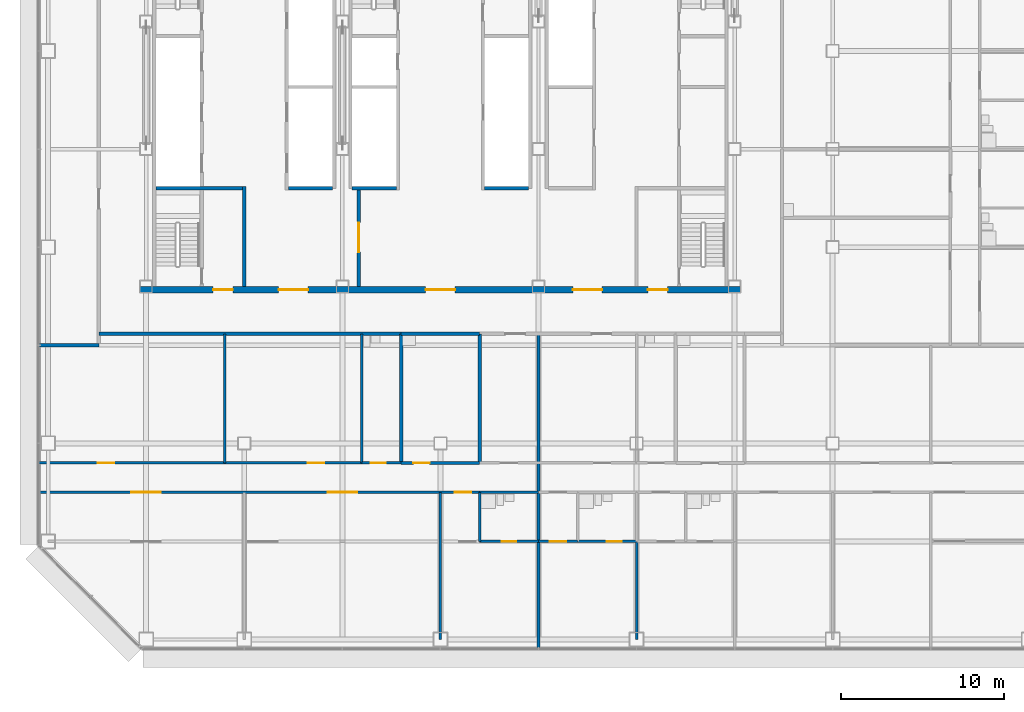
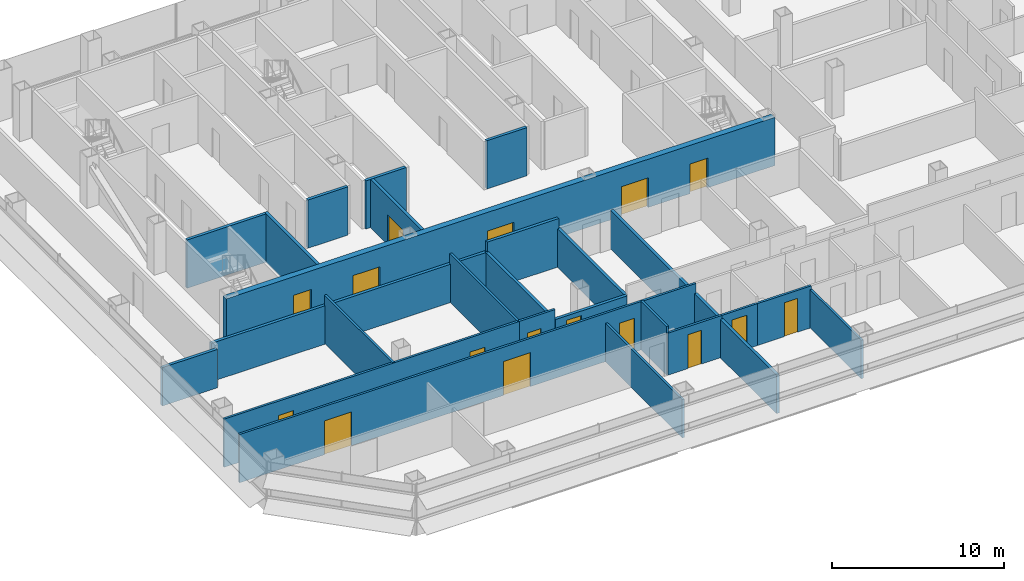
# One storey, part 20 of 26: 26 walls, 16 doors, 16 openings.
"""IFC4 building model written with IfcOpenShell, lengths in metres."""

from ifc_helpers import new_model, si_unit, direction, frame, frame_2d, origin, place, context, subcontext, project, spatial, rectangle, extrude, material, layer, layer_set, type_object, element, fill, save


model = new_model("IFC4")

# Units and contexts
model_context = context("Model", 3, precision=1e-05, world=origin(), true_north=direction((0.0, 1.0)))
body_context = subcontext(model_context, "Body", "Model", "MODEL_VIEW")
ifc_project = project(units=[si_unit("LENGTHUNIT", "METRE"), si_unit("AREAUNIT", "SQUARE_METRE"), si_unit("VOLUMEUNIT", "CUBIC_METRE"), si_unit("PLANEANGLEUNIT", "RADIAN"), si_unit("MASSUNIT", "GRAM", prefix="KILO")], contexts=[model_context])

# Site, building, storey
site_placement = place(None, origin())
site = spatial("IfcSite", under=ifc_project, at=site_placement, CompositionType="ELEMENT")
building_placement = place(site_placement, origin())
building = spatial("IfcBuilding", under=site, at=building_placement, Name="Sorahane Residences", CompositionType="ELEMENT")
storey_placement = place(building_placement, frame((0.0, 0.0, 71.39990234375)))
storey = spatial("IfcBuildingStorey", under=building, at=storey_placement, Name="L14", CompositionType="ELEMENT", Elevation=71.39990234375)

# Walls
ifc_material_1 = material(Name="Concrete blockwork C20 wall", Category="masonry")
ifc_layer_1 = layer(ifc_material_1, 0.199951171875)
ifc_layer_set_1 = layer_set([ifc_layer_1], Name="Corridor wall 200 EI 120")
wall_type_1 = type_object("IfcWallType", Name="Corridor wall 200 EI 120", PredefinedType="SOLIDWALL", material=ifc_layer_set_1)
wall_1_placement = place(storey_placement, frame((-0.60009765625, 18.0, 0.0), z_axis=(0.0, 0.0, 1.0), x_axis=(1.0, 0.0, 0.0)))
element("IfcWall", 1, at=wall_1_placement, inside=storey, type_object=wall_type_1, Name="L14 corridor wall", PredefinedType="SOLIDWALL", context=body_context, shape_type="SweptSolid", body=[
    extrude(rectangle(XDim=3.7001953125, YDim=0.199951171875, at=frame_2d((1.85009765625, 0.0))), origin(), (0.0, 0.0, 1.0), 2.72021484375),
])
wall_2_placement = place(storey_placement, frame((3.10009765625, 18.699951171875, 0.0), z_axis=(0.0, 0.0, 1.0), x_axis=(1.0, 0.0, 0.0)))
element("IfcWall", 2, at=wall_2_placement, inside=storey, type_object=wall_type_1, Name="L14 corridor wall", PredefinedType="SOLIDWALL", context=body_context, shape_type="SweptSolid", body=[
    extrude(rectangle(XDim=18.5, YDim=0.199951171875, at=frame_2d((9.25, 0.0))), origin(), (0.0, 0.0, 1.0), 2.72021484375),
])
ifc_material_2 = material(Name="Concrete C30", Category="concrete")
ifc_layer_2 = layer(ifc_material_2, 0.199951171875)
ifc_layer_set_2 = layer_set([ifc_layer_2], Name="Front room wall 200 EI 120")
wall_type_2 = type_object("IfcWallType", Name="Front room wall 200 EI 120", PredefinedType="PARTITIONING", material=ifc_layer_set_2)
wall_3_placement = place(storey_placement, frame((12.0, 21.60009765625, 0.0), z_axis=(0.0, 0.0, 1.0), x_axis=(0.0, 1.0, 0.0)))
element("IfcWall", 3, at=wall_3_placement, inside=storey, type_object=wall_type_2, Name="L14 front room wall", PredefinedType="PARTITIONING", context=body_context, shape_type="SweptSolid", body=[
    extrude(rectangle(XDim=6.099853515625, YDim=0.199951171875, at=frame_2d((3.0498046875, 0.0))), origin(), (0.0, 0.0, 1.0), 3.420166015625),
])
ifc_material_3 = material(Name="Concrete blockwork C20 wall", Category="masonry")
ifc_layer_3 = layer(ifc_material_3, 0.199951171875)
ifc_layer_set_3 = layer_set([ifc_layer_3], Name="Kitchen wall 200 EI 180")
wall_type_3 = type_object("IfcWallType", Name="Kitchen wall 200 EI 180", PredefinedType="SOLIDWALL", material=ifc_layer_set_3)
for number, where, z_axis, x_axis, name in (
    (4, (21.60009765625, 10.800048828125, 0.0), (0.0, 0.0, 1.0), (0.0, 1.0, 0.0), "L14 kitchen wall"),
    (5, (26.39990234375, 10.800048828125, 0.0), (0.0, 0.0, 1.0), (0.0, 1.0, 0.0), "L14 kitchen wall"),
):
    element("IfcWall", number, at=place(storey_placement, frame(where, z_axis=z_axis, x_axis=x_axis)), inside=storey, type_object=wall_type_3, Name=name, PredefinedType="SOLIDWALL", context=body_context, shape_type="SweptSolid", body=[
        extrude(rectangle(XDim=7.89990234375, YDim=0.199951171875, at=frame_2d((3.949951171875, 0.0))), origin(), (0.0, 0.0, 1.0), 2.72021484375),
    ])

# Wall, opening, door
wall_4_placement = place(storey_placement, frame((21.60009765625, 10.800048828125, 0.0), z_axis=(0.0, 0.0, 1.0), x_axis=(1.0, 0.0, 0.0)))
wall_4 = element("IfcWall", 6, at=wall_4_placement, inside=storey, type_object=wall_type_3, Name="L14 kitchen wall", PredefinedType="SOLIDWALL", context=body_context, shape_type="SweptSolid", body=[
    extrude(rectangle(XDim=4.7998046875, YDim=0.199951171875, at=frame_2d((2.39990234375, 0.0))), origin(), (0.0, 0.0, 1.0), 2.72021484375),
])
opening_1_placement = place(wall_4_placement, frame((0.739990234375, 0.0, 0.0)))
opening_1 = element("IfcOpeningElement", 7, at=opening_1_placement, cuts=wall_4, Name="Opening L14-05", PredefinedType="OPENING", context=body_context, shape_type="SweptSolid", body=[
    extrude(rectangle(XDim=1.0, YDim=2.39990234375, at=frame_2d((0.5, 1.199951171875))), frame((0.0, 0.10986328125, 0.0), z_axis=(0.0, -1.0, 0.0), x_axis=(1.0, 0.0, 0.0)), (0.0, 0.0, 1.0), 0.219970703125),
])
ifc_material_4 = material(Name="Steel", Category="steel")
door_type_1 = type_object("IfcDoorType", Name="Kitchen door 1000x2400 FD120", OperationType="NOTDEFINED", PredefinedType="DOOR", material=ifc_material_4)
door_1_placement = place(opening_1_placement, origin())
door_1 = element("IfcDoor", 8, at=door_1_placement, inside=storey, type_object=door_type_1, Name="Kitchen door L14-05", OperationType="SINGLE_SWING_LEFT", OverallHeight=2.39990234375, OverallWidth=1.0, PredefinedType="DOOR", context=body_context, shape_type="SweptSolid", body=[
    extrude(rectangle(XDim=1.0, YDim=2.39990234375, at=frame_2d((0.5, 1.199951171875))), frame((0.0, 0.02490234375, 0.0), z_axis=(0.0, -1.0, 0.0), x_axis=(1.0, 0.0, 0.0)), (0.0, 0.0, 1.0), 0.050048828125),
])
fill(opening_1, door_1)

# Walls
wall_5_placement = place(storey_placement, frame((21.60009765625, 18.699951171875, 0.0), z_axis=(0.0, 0.0, 1.0), x_axis=(1.0, 0.0, 0.0)))
element("IfcWall", 9, at=wall_5_placement, inside=storey, type_object=wall_type_3, Name="L14 kitchen wall", PredefinedType="SOLIDWALL", context=body_context, shape_type="SweptSolid", body=[
    extrude(rectangle(XDim=4.7998046875, YDim=0.199951171875, at=frame_2d((2.39990234375, 0.0))), origin(), (0.0, 0.0, 1.0), 3.420166015625),
])
ifc_material_5 = material(Name="Concrete C30", Category="concrete")
ifc_layer_4 = layer(ifc_material_5, 0.199951171875)
ifc_layer_set_4 = layer_set([ifc_layer_4], Name="Lift shaft wall 200 EI 120")
wall_type_4 = type_object("IfcWallType", Name="Lift shaft wall 200 EI 120", PredefinedType="SOLIDWALL", material=ifc_layer_set_4)
for number, where, z_axis, x_axis, name in (
    (10, (14.699951171875, 27.60009765625, 0.0), (0.0, 0.0, 1.0), (1.0, 0.0, 0.0), "L14 lift shaft wall"),
    (11, (18.60009765625, 27.60009765625, 0.0), (0.0, 0.0, 1.0), (1.0, 0.0, 0.0), "L14 lift shaft wall"),
):
    element("IfcWall", number, at=place(storey_placement, frame(where, z_axis=z_axis, x_axis=x_axis)), inside=storey, type_object=wall_type_4, Name=name, PredefinedType="SOLIDWALL", context=body_context, shape_type="SweptSolid", body=[
        extrude(rectangle(XDim=2.699951171875, YDim=0.199951171875, at=frame_2d((1.35009765625, 0.0))), origin(), (0.0, 0.0, 1.0), 3.420166015625),
    ])
ifc_material_6 = material(Name="Gypsum board partition on steel studs", Category="steel")
ifc_layer_5 = layer(ifc_material_6, 0.14990234375)
ifc_layer_set_5 = layer_set([ifc_layer_5], Name="Partition 150 EI 90")
wall_type_5 = type_object("IfcWallType", Name="Partition 150 EI 90", PredefinedType="PARTITIONING", material=ifc_layer_set_5)
wall_6_placement = place(storey_placement, frame((10.800048828125, 10.800048828125, 0.0), z_axis=(0.0, 0.0, 1.0), x_axis=(0.0, 1.0, 0.0)))
element("IfcWall", 12, at=wall_6_placement, inside=storey, type_object=wall_type_5, Name="L14 partition", PredefinedType="PARTITIONING", context=body_context, shape_type="SweptSolid", body=[
    extrude(rectangle(XDim=7.89990234375, YDim=0.14990234375, at=frame_2d((3.949951171875, 0.0))), origin(), (0.0, 0.0, 1.0), 3.420166015625),
])
wall_7_placement = place(storey_placement, frame((24.0, 0.0, 0.0), z_axis=(0.0, 0.0, 1.0), x_axis=(0.0, 1.0, 0.0)))
element("IfcWall", 13, at=wall_7_placement, inside=storey, type_object=wall_type_5, Name="L14 partition", PredefinedType="PARTITIONING", context=body_context, shape_type="SweptSolid", body=[
    extrude(rectangle(XDim=9.0, YDim=0.14990234375, at=frame_2d((4.5, 0.0))), origin(), (0.0, 0.0, 1.0), 2.72021484375),
])
wall_8_placement = place(storey_placement, frame((36.0, 0.0, 0.0), z_axis=(0.0, 0.0, 1.0), x_axis=(0.0, 1.0, 0.0)))
element("IfcWall", 14, at=wall_8_placement, inside=storey, type_object=wall_type_5, Name="L14 partition", PredefinedType="PARTITIONING", context=body_context, shape_type="SweptSolid", body=[
    extrude(rectangle(XDim=6.0, YDim=0.14990234375, at=frame_2d((3.0, 0.0))), origin(), (0.0, 0.0, 1.0), 2.72021484375),
])

# Wall, openings, doors
wall_9_placement = place(storey_placement, frame((-0.60009765625, 10.800048828125, 0.0), z_axis=(0.0, 0.0, 1.0), x_axis=(1.0, 0.0, 0.0)))
wall_9 = element("IfcWall", 15, at=wall_9_placement, inside=storey, type_object=wall_type_5, Name="L14 partition", PredefinedType="PARTITIONING", context=body_context, shape_type="SweptSolid", body=[
    extrude(rectangle(XDim=19.800048828125, YDim=0.14990234375, at=frame_2d((9.89990234375, 0.0))), origin(), (0.0, 0.0, 1.0), 3.420166015625),
])
opening_2_placement = place(wall_9_placement, frame((3.639892578125, 0.0, 0.0)))
opening_2 = element("IfcOpeningElement", 16, at=opening_2_placement, cuts=wall_9, Name="Opening L14-02", PredefinedType="OPENING", context=body_context, shape_type="SweptSolid", body=[
    extrude(rectangle(XDim=1.0, YDim=2.39990234375, at=frame_2d((0.5, 1.199951171875))), frame((0.0, 0.0849609375, 0.0), z_axis=(0.0, -1.0, 0.0), x_axis=(1.0, 0.0, 0.0)), (0.0, 0.0, 1.0), 0.169921875),
])
opening_3_placement = place(wall_9_placement, frame((16.47998046875, 0.0, 0.0)))
opening_3 = element("IfcOpeningElement", 17, at=opening_3_placement, cuts=wall_9, Name="Opening L14-03", PredefinedType="OPENING", context=body_context, shape_type="SweptSolid", body=[
    extrude(rectangle(XDim=1.0, YDim=2.39990234375, at=frame_2d((0.5, 1.199951171875))), frame((0.0, 0.0849609375, 0.0), z_axis=(0.0, -1.0, 0.0), x_axis=(1.0, 0.0, 0.0)), (0.0, 0.0, 1.0), 0.169921875),
])
ifc_material_7 = material(Name="Timber veneered fire door", Category="wood")
door_type_2 = type_object("IfcDoorType", Name="Room door 1000x2400 FD30", OperationType="NOTDEFINED", PredefinedType="DOOR", material=ifc_material_7)
door_2_placement = place(opening_2_placement, origin())
door_2 = element("IfcDoor", 18, at=door_2_placement, inside=storey, type_object=door_type_2, Name="Room door L14-02", OperationType="SINGLE_SWING_LEFT", OverallHeight=2.39990234375, OverallWidth=1.0, PredefinedType="DOOR", context=body_context, shape_type="SweptSolid", body=[
    extrude(rectangle(XDim=1.0, YDim=2.39990234375, at=frame_2d((0.5, 1.199951171875))), frame((0.0, 0.02490234375, 0.0), z_axis=(0.0, -1.0, 0.0), x_axis=(1.0, 0.0, 0.0)), (0.0, 0.0, 1.0), 0.050048828125),
])
fill(opening_2, door_2)
door_3_placement = place(opening_3_placement, origin())
door_3 = element("IfcDoor", 19, at=door_3_placement, inside=storey, type_object=door_type_2, Name="Room door L14-03", OperationType="SINGLE_SWING_RIGHT", OverallHeight=2.39990234375, OverallWidth=1.0, PredefinedType="DOOR", context=body_context, shape_type="SweptSolid", body=[
    extrude(rectangle(XDim=1.0, YDim=2.39990234375, at=frame_2d((0.5, 1.199951171875))), frame((0.0, 0.02490234375, 0.0), z_axis=(0.0, -1.0, 0.0), x_axis=(1.0, 0.0, 0.0)), (0.0, 0.0, 1.0), 0.050048828125),
])
fill(opening_3, door_3)

# Wall, opening, door
wall_10_placement = place(storey_placement, frame((30.0, 6.0, 0.0), z_axis=(0.0, 0.0, 1.0), x_axis=(1.0, 0.0, 0.0)))
wall_10 = element("IfcWall", 20, at=wall_10_placement, inside=storey, type_object=wall_type_5, Name="L14 partition", PredefinedType="PARTITIONING", context=body_context, shape_type="SweptSolid", body=[
    extrude(rectangle(XDim=2.39990234375, YDim=0.14990234375, at=frame_2d((1.199951171875, 0.0))), origin(), (0.0, 0.0, 1.0), 2.97021484375),
])
opening_4_placement = place(wall_10_placement, frame((0.699951171875, 0.0, 0.0)))
opening_4 = element("IfcOpeningElement", 21, at=opening_4_placement, cuts=wall_10, Name="Opening L14-23", PredefinedType="OPENING", context=body_context, shape_type="SweptSolid", body=[
    extrude(rectangle(XDim=1.0, YDim=2.39990234375, at=frame_2d((0.5, 1.199951171875))), frame((0.0, 0.0849609375, 0.0), z_axis=(0.0, -1.0, 0.0), x_axis=(1.0, 0.0, 0.0)), (0.0, 0.0, 1.0), 0.169921875),
])
door_4_placement = place(opening_4_placement, frame((1.0, 0.0, 0.0), z_axis=(0.0, 0.0, 1.0), x_axis=(-1.0, 0.0, 0.0)))
door_4 = element("IfcDoor", 22, at=door_4_placement, inside=storey, type_object=door_type_2, Name="Room door L14-23", OperationType="SINGLE_SWING_RIGHT", OverallHeight=2.39990234375, OverallWidth=1.0, PredefinedType="DOOR", context=body_context, shape_type="SweptSolid", body=[
    extrude(rectangle(XDim=1.0, YDim=2.39990234375, at=frame_2d((0.5, 1.199951171875))), frame((0.0, 0.02490234375, 0.0), z_axis=(0.0, -1.0, 0.0), x_axis=(1.0, 0.0, 0.0)), (0.0, 0.0, 1.0), 0.050048828125),
])
fill(opening_4, door_4)

# Wall, openings, doors
wall_11_placement = place(storey_placement, frame((-0.60009765625, 9.0, 0.0), z_axis=(0.0, 0.0, 1.0), x_axis=(1.0, 0.0, 0.0)))
wall_11 = element("IfcWall", 23, at=wall_11_placement, inside=storey, type_object=wall_type_5, Name="L14 partition", PredefinedType="PARTITIONING", context=body_context, shape_type="SweptSolid", body=[
    extrude(rectangle(XDim=27.0, YDim=0.14990234375, at=frame_2d((13.5, 0.0))), origin(), (0.0, 0.0, 1.0), 3.420166015625),
])
opening_5_placement = place(wall_11_placement, frame((5.699951171875, 0.0, 0.0)))
opening_5 = element("IfcOpeningElement", 24, at=opening_5_placement, cuts=wall_11, Name="Opening L14-06", PredefinedType="OPENING", context=body_context, shape_type="SweptSolid", body=[
    extrude(rectangle(XDim=1.800048828125, YDim=2.39990234375, at=frame_2d((0.89990234375, 1.199951171875))), frame((0.0, 0.0849609375, 0.0), z_axis=(0.0, -1.0, 0.0), x_axis=(1.0, 0.0, 0.0)), (0.0, 0.0, 1.0), 0.169921875),
])
opening_6_placement = place(wall_11_placement, frame((17.699951171875, 0.0, 0.0)))
opening_6 = element("IfcOpeningElement", 25, at=opening_6_placement, cuts=wall_11, Name="Opening L14-07", PredefinedType="OPENING", context=body_context, shape_type="SweptSolid", body=[
    extrude(rectangle(XDim=1.800048828125, YDim=2.39990234375, at=frame_2d((0.89990234375, 1.199951171875))), frame((0.0, 0.0849609375, 0.0), z_axis=(0.0, -1.0, 0.0), x_axis=(1.0, 0.0, 0.0)), (0.0, 0.0, 1.0), 0.169921875),
])
opening_7_placement = place(wall_11_placement, frame((25.47998046875, 0.0, 0.0)))
opening_7 = element("IfcOpeningElement", 26, at=opening_7_placement, cuts=wall_11, Name="Opening L14-08", PredefinedType="OPENING", context=body_context, shape_type="SweptSolid", body=[
    extrude(rectangle(XDim=1.0, YDim=2.39990234375, at=frame_2d((0.5, 1.199951171875))), frame((0.0, 0.0849609375, 0.0), z_axis=(0.0, -1.0, 0.0), x_axis=(1.0, 0.0, 0.0)), (0.0, 0.0, 1.0), 0.169921875),
])
ifc_material_8 = material(Name="Timber veneered fire door", Category="wood")
door_type_3 = type_object("IfcDoorType", Name="Double door 1800x2400 FD30", OperationType="NOTDEFINED", PredefinedType="DOOR", material=ifc_material_8)
door_5_placement = place(opening_5_placement, frame((1.800048828125, 0.0, 0.0), z_axis=(0.0, 0.0, 1.0), x_axis=(-1.0, 0.0, 0.0)))
door_5 = element("IfcDoor", 27, at=door_5_placement, inside=storey, type_object=door_type_3, Name="Double door L14-06", OperationType="SINGLE_SWING_LEFT", OverallHeight=2.39990234375, OverallWidth=1.800048828125, PredefinedType="DOOR", context=body_context, shape_type="SweptSolid", body=[
    extrude(rectangle(XDim=1.800048828125, YDim=2.39990234375, at=frame_2d((0.89990234375, 1.199951171875))), frame((0.0, 0.02490234375, 0.0), z_axis=(0.0, -1.0, 0.0), x_axis=(1.0, 0.0, 0.0)), (0.0, 0.0, 1.0), 0.050048828125),
])
fill(opening_5, door_5)
door_6_placement = place(opening_6_placement, frame((1.800048828125, 0.0, 0.0), z_axis=(0.0, 0.0, 1.0), x_axis=(-1.0, 0.0, 0.0)))
door_6 = element("IfcDoor", 28, at=door_6_placement, inside=storey, type_object=door_type_3, Name="Double door L14-07", OperationType="SINGLE_SWING_LEFT", OverallHeight=2.39990234375, OverallWidth=1.800048828125, PredefinedType="DOOR", context=body_context, shape_type="SweptSolid", body=[
    extrude(rectangle(XDim=1.800048828125, YDim=2.39990234375, at=frame_2d((0.89990234375, 1.199951171875))), frame((0.0, 0.02490234375, 0.0), z_axis=(0.0, -1.0, 0.0), x_axis=(1.0, 0.0, 0.0)), (0.0, 0.0, 1.0), 0.050048828125),
])
fill(opening_6, door_6)
door_7_placement = place(opening_7_placement, frame((1.0, 0.0, 0.0), z_axis=(0.0, 0.0, 1.0), x_axis=(-1.0, 0.0, 0.0)))
door_7 = element("IfcDoor", 29, at=door_7_placement, inside=storey, type_object=door_type_2, Name="Room door L14-08", OperationType="SINGLE_SWING_LEFT", OverallHeight=2.39990234375, OverallWidth=1.0, PredefinedType="DOOR", context=body_context, shape_type="SweptSolid", body=[
    extrude(rectangle(XDim=1.0, YDim=2.39990234375, at=frame_2d((0.5, 1.199951171875))), frame((0.0, 0.02490234375, 0.0), z_axis=(0.0, -1.0, 0.0), x_axis=(1.0, 0.0, 0.0)), (0.0, 0.0, 1.0), 0.050048828125),
])
fill(opening_7, door_7)

# Walls
ifc_material_9 = material(Name="Concrete blockwork C20 wall", Category="masonry")
ifc_layer_6 = layer(ifc_material_9, 0.199951171875)
ifc_layer_set_6 = layer_set([ifc_layer_6], Name="Party wall 200 EI 120")
wall_type_6 = type_object("IfcWallType", Name="Party wall 200 EI 120", PredefinedType="SOLIDWALL", material=ifc_layer_set_6)
wall_12_placement = place(storey_placement, frame((30.0, -0.60009765625, 0.0), z_axis=(0.0, 0.0, 1.0), x_axis=(0.0, 1.0, 0.0)))
element("IfcWall", 30, at=wall_12_placement, inside=storey, type_object=wall_type_6, Name="L14 party wall", PredefinedType="SOLIDWALL", context=body_context, shape_type="SweptSolid", body=[
    extrude(rectangle(XDim=19.300048828125, YDim=0.199951171875, at=frame_2d((9.64990234375, 0.0))), origin(), (0.0, 0.0, 1.0), 2.72021484375),
])
ifc_material_10 = material(Name="Concrete C30", Category="concrete")
ifc_layer_7 = layer(ifc_material_10, 0.199951171875)
ifc_layer_set_7 = layer_set([ifc_layer_7], Name="Riser shaft wall 200 EI 120")
wall_type_7 = type_object("IfcWallType", Name="Riser shaft wall 200 EI 120", PredefinedType="SOLIDWALL", material=ifc_layer_set_7)
wall_13_placement = place(storey_placement, frame((26.699951171875, 27.60009765625, 0.0), z_axis=(0.0, 0.0, 1.0), x_axis=(1.0, 0.0, 0.0)))
element("IfcWall", 31, at=wall_13_placement, inside=storey, type_object=wall_type_7, Name="L14 riser wall", PredefinedType="SOLIDWALL", context=body_context, shape_type="SweptSolid", body=[
    extrude(rectangle(XDim=2.699951171875, YDim=0.199951171875, at=frame_2d((1.35009765625, 0.0))), origin(), (0.0, 0.0, 1.0), 3.420166015625),
])

# Wall, opening, door
ifc_material_11 = material(Name="Concrete C30", Category="concrete")
ifc_layer_8 = layer(ifc_material_11, 0.199951171875)
ifc_layer_set_8 = layer_set([ifc_layer_8], Name="Service room partition 200 EI 60")
wall_type_8 = type_object("IfcWallType", Name="Service room partition 200 EI 60", PredefinedType="PARTITIONING", material=ifc_layer_set_8)
wall_14_placement = place(storey_placement, frame((19.0, 21.60009765625, 0.0), z_axis=(0.0, 0.0, 1.0), x_axis=(0.0, 1.0, 0.0)))
wall_14 = element("IfcWall", 32, at=wall_14_placement, inside=storey, type_object=wall_type_8, Name="L14 service room wall", PredefinedType="PARTITIONING", context=body_context, shape_type="SweptSolid", body=[
    extrude(rectangle(XDim=6.0, YDim=0.199951171875, at=frame_2d((3.0, 0.0))), origin(), (0.0, 0.0, 1.0), 3.420166015625),
])
opening_8_placement = place(wall_14_placement, frame((2.10009765625, 0.0, 0.0)))
opening_8 = element("IfcOpeningElement", 33, at=opening_8_placement, cuts=wall_14, Name="Opening L14-C02", PredefinedType="OPENING", context=body_context, shape_type="SweptSolid", body=[
    extrude(rectangle(XDim=1.800048828125, YDim=2.10009765625, at=frame_2d((0.89990234375, 1.050048828125))), frame((0.0, 0.10986328125, 0.0), z_axis=(0.0, -1.0, 0.0), x_axis=(1.0, 0.0, 0.0)), (0.0, 0.0, 1.0), 0.219970703125),
])
ifc_material_12 = material(Name="Steel", Category="steel")
door_type_4 = type_object("IfcDoorType", Name="Waiting hall door 1800x2100 FD60", OperationType="NOTDEFINED", PredefinedType="DOOR", material=ifc_material_12)
door_8_placement = place(opening_8_placement, origin())
door_8 = element("IfcDoor", 34, at=door_8_placement, inside=storey, type_object=door_type_4, Name="Waiting hall door Residents' waiting hall west L14", OperationType="SINGLE_SWING_LEFT", OverallHeight=2.10009765625, OverallWidth=1.800048828125, PredefinedType="DOOR", context=body_context, shape_type="SweptSolid", body=[
    extrude(rectangle(XDim=1.800048828125, YDim=2.10009765625, at=frame_2d((0.89990234375, 1.050048828125))), frame((0.0, 0.02490234375, 0.0), z_axis=(0.0, -1.0, 0.0), x_axis=(1.0, 0.0, 0.0)), (0.0, 0.0, 1.0), 0.050048828125),
])
fill(opening_8, door_8)

# Wall
ifc_material_13 = material(Name="Concrete C30", Category="concrete")
ifc_layer_9 = layer(ifc_material_13, 0.199951171875)
ifc_layer_set_9 = layer_set([ifc_layer_9], Name="Stair enclosure wall 200 EI 120")
wall_type_9 = type_object("IfcWallType", Name="Stair enclosure wall 200 EI 120", PredefinedType="SOLIDWALL", material=ifc_layer_set_9)
wall_15_placement = place(storey_placement, frame((6.60009765625, 27.60009765625, 0.0), z_axis=(0.0, 0.0, 1.0), x_axis=(1.0, 0.0, 0.0)))
element("IfcWall", 35, at=wall_15_placement, inside=storey, type_object=wall_type_9, Name="L14 stair enclosure wall", PredefinedType="SOLIDWALL", context=body_context, shape_type="SweptSolid", body=[
    extrude(rectangle(XDim=5.2998046875, YDim=0.199951171875, at=frame_2d((2.64990234375, 0.0))), origin(), (0.0, 0.0, 1.0), 3.420166015625),
])

# Wall, openings, doors
ifc_material_14 = material(Name="Concrete C30", Category="concrete")
ifc_layer_10 = layer(ifc_material_14, 0.39990234375)
ifc_layer_set_10 = layer_set([ifc_layer_10], Name="Waiting hall wall 400 EI 120")
wall_type_10 = type_object("IfcWallType", Name="Waiting hall wall 400 EI 120", PredefinedType="SOLIDWALL", material=ifc_layer_set_10)
wall_16_placement = place(storey_placement, frame((5.60009765625, 21.39990234375, 0.0), z_axis=(0.0, 0.0, 1.0), x_axis=(1.0, 0.0, 0.0)))
wall_16 = element("IfcWall", 36, at=wall_16_placement, inside=storey, type_object=wall_type_10, Name="L14 waiting hall wall", PredefinedType="SOLIDWALL", context=body_context, shape_type="SweptSolid", body=[
    extrude(rectangle(XDim=36.7998046875, YDim=0.39990234375, at=frame_2d((18.39990234375, 0.0))), origin(), (0.0, 0.0, 1.0), 3.420166015625),
])
opening_9_placement = place(wall_16_placement, frame((8.5, 0.0, 0.0)))
opening_9 = element("IfcOpeningElement", 37, at=opening_9_placement, cuts=wall_16, Name="Opening L14-C01", PredefinedType="OPENING", context=body_context, shape_type="SweptSolid", body=[
    extrude(rectangle(XDim=1.800048828125, YDim=2.10009765625, at=frame_2d((0.89990234375, 1.050048828125))), frame((0.0, 0.2099609375, 0.0), z_axis=(0.0, -1.0, 0.0), x_axis=(1.0, 0.0, 0.0)), (0.0, 0.0, 1.0), 0.419921875),
])
opening_10_placement = place(wall_16_placement, frame((17.5, 0.0, 0.0)))
opening_10 = element("IfcOpeningElement", 38, at=opening_10_placement, cuts=wall_16, Name="Opening L14-C03", PredefinedType="OPENING", context=body_context, shape_type="SweptSolid", body=[
    extrude(rectangle(XDim=1.800048828125, YDim=2.10009765625, at=frame_2d((0.89990234375, 1.050048828125))), frame((0.0, 0.2099609375, 0.0), z_axis=(0.0, -1.0, 0.0), x_axis=(1.0, 0.0, 0.0)), (0.0, 0.0, 1.0), 0.419921875),
])
opening_11_placement = place(wall_16_placement, frame((26.5, 0.0, 0.0)))
opening_11 = element("IfcOpeningElement", 39, at=opening_11_placement, cuts=wall_16, Name="Opening L14-C04", PredefinedType="OPENING", context=body_context, shape_type="SweptSolid", body=[
    extrude(rectangle(XDim=1.800048828125, YDim=2.10009765625, at=frame_2d((0.89990234375, 1.050048828125))), frame((0.0, 0.2099609375, 0.0), z_axis=(0.0, -1.0, 0.0), x_axis=(1.0, 0.0, 0.0)), (0.0, 0.0, 1.0), 0.419921875),
])
opening_12_placement = place(wall_16_placement, frame((4.5, 0.0, 0.0)))
opening_12 = element("IfcOpeningElement", 40, at=opening_12_placement, cuts=wall_16, Name="Opening L14-C05", PredefinedType="OPENING", context=body_context, shape_type="SweptSolid", body=[
    extrude(rectangle(XDim=1.199951171875, YDim=2.10009765625, at=frame_2d((0.60009765625, 1.050048828125))), frame((0.0, 0.2099609375, 0.0), z_axis=(0.0, -1.0, 0.0), x_axis=(1.0, 0.0, 0.0)), (0.0, 0.0, 1.0), 0.419921875),
])
opening_13_placement = place(wall_16_placement, frame((31.10009765625, 0.0, 0.0)))
opening_13 = element("IfcOpeningElement", 41, at=opening_13_placement, cuts=wall_16, Name="Opening L14-C06", PredefinedType="OPENING", context=body_context, shape_type="SweptSolid", body=[
    extrude(rectangle(XDim=1.199951171875, YDim=2.10009765625, at=frame_2d((0.60009765625, 1.050048828125))), frame((0.0, 0.2099609375, 0.0), z_axis=(0.0, -1.0, 0.0), x_axis=(1.0, 0.0, 0.0)), (0.0, 0.0, 1.0), 0.419921875),
])
ifc_material_15 = material(Name="Steel", Category="steel")
door_type_5 = type_object("IfcDoorType", Name="Stair front room door 1200x2100 FD120", OperationType="NOTDEFINED", PredefinedType="DOOR", material=ifc_material_15)
door_9_placement = place(opening_12_placement, frame((1.199951171875, 0.0, 0.0), z_axis=(0.0, 0.0, 1.0), x_axis=(-1.0, 0.0, 0.0)))
door_9 = element("IfcDoor", 42, at=door_9_placement, inside=storey, type_object=door_type_5, Name="Stair front room door Stair S4 front room L14", OperationType="SINGLE_SWING_LEFT", OverallHeight=2.10009765625, OverallWidth=1.199951171875, PredefinedType="DOOR", context=body_context, shape_type="SweptSolid", body=[
    extrude(rectangle(XDim=1.199951171875, YDim=2.10009765625, at=frame_2d((0.60009765625, 1.050048828125))), frame((0.0, 0.02490234375, 0.0), z_axis=(0.0, -1.0, 0.0), x_axis=(1.0, 0.0, 0.0)), (0.0, 0.0, 1.0), 0.050048828125),
])
fill(opening_12, door_9)
door_10_placement = place(opening_13_placement, frame((1.199951171875, 0.0, 0.0), z_axis=(0.0, 0.0, 1.0), x_axis=(-1.0, 0.0, 0.0)))
door_10 = element("IfcDoor", 43, at=door_10_placement, inside=storey, type_object=door_type_5, Name="Stair front room door Stair S5 front room L14", OperationType="SINGLE_SWING_LEFT", OverallHeight=2.10009765625, OverallWidth=1.199951171875, PredefinedType="DOOR", context=body_context, shape_type="SweptSolid", body=[
    extrude(rectangle(XDim=1.199951171875, YDim=2.10009765625, at=frame_2d((0.60009765625, 1.050048828125))), frame((0.0, 0.02490234375, 0.0), z_axis=(0.0, -1.0, 0.0), x_axis=(1.0, 0.0, 0.0)), (0.0, 0.0, 1.0), 0.050048828125),
])
fill(opening_13, door_10)
door_11_placement = place(opening_9_placement, frame((1.800048828125, 0.0, 0.0), z_axis=(0.0, 0.0, 1.0), x_axis=(-1.0, 0.0, 0.0)))
door_11 = element("IfcDoor", 44, at=door_11_placement, inside=storey, type_object=door_type_4, Name="Waiting hall door Residents' waiting hall west L14", OperationType="SINGLE_SWING_LEFT", OverallHeight=2.10009765625, OverallWidth=1.800048828125, PredefinedType="DOOR", context=body_context, shape_type="SweptSolid", body=[
    extrude(rectangle(XDim=1.800048828125, YDim=2.10009765625, at=frame_2d((0.89990234375, 1.050048828125))), frame((0.0, 0.02490234375, 0.0), z_axis=(0.0, -1.0, 0.0), x_axis=(1.0, 0.0, 0.0)), (0.0, 0.0, 1.0), 0.050048828125),
])
fill(opening_9, door_11)
door_12_placement = place(opening_10_placement, frame((1.800048828125, 0.0, 0.0), z_axis=(0.0, 0.0, 1.0), x_axis=(-1.0, 0.0, 0.0)))
door_12 = element("IfcDoor", 45, at=door_12_placement, inside=storey, type_object=door_type_4, Name="Waiting hall door Residents' waiting hall east L14", OperationType="SINGLE_SWING_LEFT", OverallHeight=2.10009765625, OverallWidth=1.800048828125, PredefinedType="DOOR", context=body_context, shape_type="SweptSolid", body=[
    extrude(rectangle(XDim=1.800048828125, YDim=2.10009765625, at=frame_2d((0.89990234375, 1.050048828125))), frame((0.0, 0.02490234375, 0.0), z_axis=(0.0, -1.0, 0.0), x_axis=(1.0, 0.0, 0.0)), (0.0, 0.0, 1.0), 0.050048828125),
])
fill(opening_10, door_12)
door_13_placement = place(opening_11_placement, frame((1.800048828125, 0.0, 0.0), z_axis=(0.0, 0.0, 1.0), x_axis=(-1.0, 0.0, 0.0)))
door_13 = element("IfcDoor", 46, at=door_13_placement, inside=storey, type_object=door_type_4, Name="Waiting hall door Residents' waiting hall east L14", OperationType="SINGLE_SWING_LEFT", OverallHeight=2.10009765625, OverallWidth=1.800048828125, PredefinedType="DOOR", context=body_context, shape_type="SweptSolid", body=[
    extrude(rectangle(XDim=1.800048828125, YDim=2.10009765625, at=frame_2d((0.89990234375, 1.050048828125))), frame((0.0, 0.02490234375, 0.0), z_axis=(0.0, -1.0, 0.0), x_axis=(1.0, 0.0, 0.0)), (0.0, 0.0, 1.0), 0.050048828125),
])
fill(opening_11, door_13)

# Walls
ifc_material_16 = material(Name="Gypsum board partition on steel studs", Category="steel")
ifc_layer_11 = layer(ifc_material_16, 0.14990234375)
ifc_layer_set_11 = layer_set([ifc_layer_11], Name="Wet wall 150 EI 90")
wall_type_11 = type_object("IfcWallType", Name="Wet wall 150 EI 90", PredefinedType="PARTITIONING", material=ifc_layer_set_11)
wall_17_placement = place(storey_placement, frame((19.199951171875, 10.800048828125, 0.0), z_axis=(0.0, 0.0, 1.0), x_axis=(0.0, 1.0, 0.0)))
element("IfcWall", 47, at=wall_17_placement, inside=storey, type_object=wall_type_11, Name="L14 wet wall", PredefinedType="PARTITIONING", context=body_context, shape_type="SweptSolid", body=[
    extrude(rectangle(XDim=7.89990234375, YDim=0.14990234375, at=frame_2d((3.949951171875, 0.0))), origin(), (0.0, 0.0, 1.0), 3.420166015625),
])
wall_18_placement = place(storey_placement, frame((26.39990234375, 6.0, 0.0), z_axis=(0.0, 0.0, 1.0), x_axis=(0.0, 1.0, 0.0)))
element("IfcWall", 48, at=wall_18_placement, inside=storey, type_object=wall_type_11, Name="L14 wet wall", PredefinedType="PARTITIONING", context=body_context, shape_type="SweptSolid", body=[
    extrude(rectangle(XDim=3.0, YDim=0.14990234375, at=frame_2d((1.5, 0.0))), origin(), (0.0, 0.0, 1.0), 3.420166015625),
])

# Wall, opening, door
wall_19_placement = place(storey_placement, frame((19.199951171875, 10.800048828125, 0.0), z_axis=(0.0, 0.0, 1.0), x_axis=(1.0, 0.0, 0.0)))
wall_19 = element("IfcWall", 49, at=wall_19_placement, inside=storey, type_object=wall_type_11, Name="L14 wet wall", PredefinedType="PARTITIONING", context=body_context, shape_type="SweptSolid", body=[
    extrude(rectangle(XDim=2.400146484375, YDim=0.14990234375, at=frame_2d((1.2001953125, 0.0))), origin(), (0.0, 0.0, 1.0), 3.420166015625),
])
opening_14_placement = place(wall_19_placement, frame((0.550048828125, 0.0, 0.0)))
opening_14 = element("IfcOpeningElement", 50, at=opening_14_placement, cuts=wall_19, Name="Opening L14-04", PredefinedType="OPENING", context=body_context, shape_type="SweptSolid", body=[
    extrude(rectangle(XDim=0.89990234375, YDim=2.39990234375, at=frame_2d((0.449951171875, 1.199951171875))), frame((0.0, 0.0849609375, 0.0), z_axis=(0.0, -1.0, 0.0), x_axis=(1.0, 0.0, 0.0)), (0.0, 0.0, 1.0), 0.169921875),
])
ifc_material_17 = material(Name="Timber veneered fire door", Category="wood")
door_type_6 = type_object("IfcDoorType", Name="Bathroom door 900x2400 FD30", OperationType="NOTDEFINED", PredefinedType="DOOR", material=ifc_material_17)
door_14_placement = place(opening_14_placement, frame((0.89990234375, 0.0, 0.0), z_axis=(0.0, 0.0, 1.0), x_axis=(-1.0, 0.0, 0.0)))
door_14 = element("IfcDoor", 51, at=door_14_placement, inside=storey, type_object=door_type_6, Name="Bathroom door L14-04", OperationType="SINGLE_SWING_RIGHT", OverallHeight=2.39990234375, OverallWidth=0.89990234375, PredefinedType="DOOR", context=body_context, shape_type="SweptSolid", body=[
    extrude(rectangle(XDim=0.89990234375, YDim=2.39990234375, at=frame_2d((0.449951171875, 1.199951171875))), frame((0.0, 0.02490234375, 0.0), z_axis=(0.0, -1.0, 0.0), x_axis=(1.0, 0.0, 0.0)), (0.0, 0.0, 1.0), 0.050048828125),
])
fill(opening_14, door_14)

wall_20_placement = place(storey_placement, frame((26.39990234375, 6.0, 0.0), z_axis=(0.0, 0.0, 1.0), x_axis=(1.0, 0.0, 0.0)))
wall_20 = element("IfcWall", 52, at=wall_20_placement, inside=storey, type_object=wall_type_11, Name="L14 wet wall", PredefinedType="PARTITIONING", context=body_context, shape_type="SweptSolid", body=[
    extrude(rectangle(XDim=3.60009765625, YDim=0.14990234375, at=frame_2d((1.800048828125, 0.0))), origin(), (0.0, 0.0, 1.0), 2.97021484375),
])
opening_15_placement = place(wall_20_placement, frame((1.35009765625, 0.0, 0.0)))
opening_15 = element("IfcOpeningElement", 53, at=opening_15_placement, cuts=wall_20, Name="Opening L14-12", PredefinedType="OPENING", context=body_context, shape_type="SweptSolid", body=[
    extrude(rectangle(XDim=0.89990234375, YDim=2.39990234375, at=frame_2d((0.449951171875, 1.199951171875))), frame((0.0, 0.0849609375, 0.0), z_axis=(0.0, -1.0, 0.0), x_axis=(1.0, 0.0, 0.0)), (0.0, 0.0, 1.0), 0.169921875),
])
door_15_placement = place(opening_15_placement, frame((0.89990234375, 0.0, 0.0), z_axis=(0.0, 0.0, 1.0), x_axis=(-1.0, 0.0, 0.0)))
door_15 = element("IfcDoor", 54, at=door_15_placement, inside=storey, type_object=door_type_6, Name="Bathroom door L14-12", OperationType="SINGLE_SWING_LEFT", OverallHeight=2.39990234375, OverallWidth=0.89990234375, PredefinedType="DOOR", context=body_context, shape_type="SweptSolid", body=[
    extrude(rectangle(XDim=0.89990234375, YDim=2.39990234375, at=frame_2d((0.449951171875, 1.199951171875))), frame((0.0, 0.02490234375, 0.0), z_axis=(0.0, -1.0, 0.0), x_axis=(1.0, 0.0, 0.0)), (0.0, 0.0, 1.0), 0.050048828125),
])
fill(opening_15, door_15)

wall_21_placement = place(storey_placement, frame((32.39990234375, 6.0, 0.0), z_axis=(0.0, 0.0, 1.0), x_axis=(1.0, 0.0, 0.0)))
wall_21 = element("IfcWall", 55, at=wall_21_placement, inside=storey, type_object=wall_type_11, Name="L14 wet wall", PredefinedType="PARTITIONING", context=body_context, shape_type="SweptSolid", body=[
    extrude(rectangle(XDim=3.60009765625, YDim=0.14990234375, at=frame_2d((1.800048828125, 0.0))), origin(), (0.0, 0.0, 1.0), 2.97021484375),
])
opening_16_placement = place(wall_21_placement, frame((1.7900390625, 0.0, 0.0)))
opening_16 = element("IfcOpeningElement", 56, at=opening_16_placement, cuts=wall_21, Name="Opening L14-24", PredefinedType="OPENING", context=body_context, shape_type="SweptSolid", body=[
    extrude(rectangle(XDim=0.89990234375, YDim=2.39990234375, at=frame_2d((0.449951171875, 1.199951171875))), frame((0.0, 0.0849609375, 0.0), z_axis=(0.0, -1.0, 0.0), x_axis=(1.0, 0.0, 0.0)), (0.0, 0.0, 1.0), 0.169921875),
])
door_16_placement = place(opening_16_placement, frame((0.89990234375, 0.0, 0.0), z_axis=(0.0, 0.0, 1.0), x_axis=(-1.0, 0.0, 0.0)))
door_16 = element("IfcDoor", 57, at=door_16_placement, inside=storey, type_object=door_type_6, Name="Bathroom door L14-24", OperationType="SINGLE_SWING_LEFT", OverallHeight=2.39990234375, OverallWidth=0.89990234375, PredefinedType="DOOR", context=body_context, shape_type="SweptSolid", body=[
    extrude(rectangle(XDim=0.89990234375, YDim=2.39990234375, at=frame_2d((0.449951171875, 1.199951171875))), frame((0.0, 0.02490234375, 0.0), z_axis=(0.0, -1.0, 0.0), x_axis=(1.0, 0.0, 0.0)), (0.0, 0.0, 1.0), 0.050048828125),
])
fill(opening_16, door_16)

# Wall
wall_22_placement = place(storey_placement, frame((26.39990234375, 9.0, 0.0), z_axis=(0.0, 0.0, 1.0), x_axis=(1.0, 0.0, 0.0)))
element("IfcWall", 58, at=wall_22_placement, inside=storey, type_object=wall_type_11, Name="L14 wet wall", PredefinedType="PARTITIONING", context=body_context, shape_type="SweptSolid", body=[
    extrude(rectangle(XDim=3.60009765625, YDim=0.14990234375, at=frame_2d((1.800048828125, 0.0))), origin(), (0.0, 0.0, 1.0), 3.420166015625),
])

save(model, "model.ifc")
